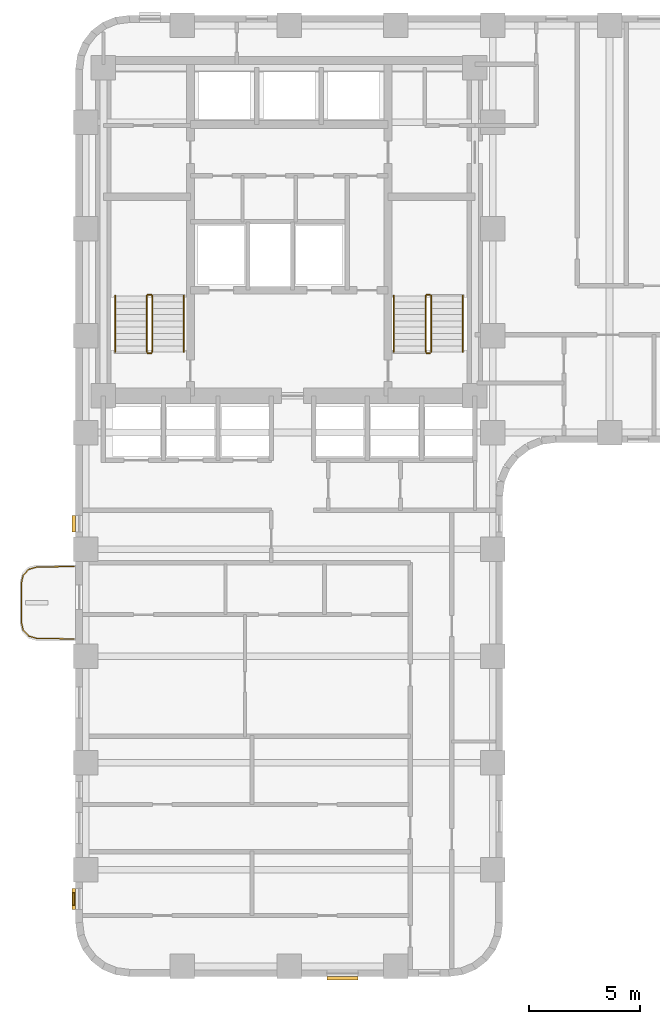
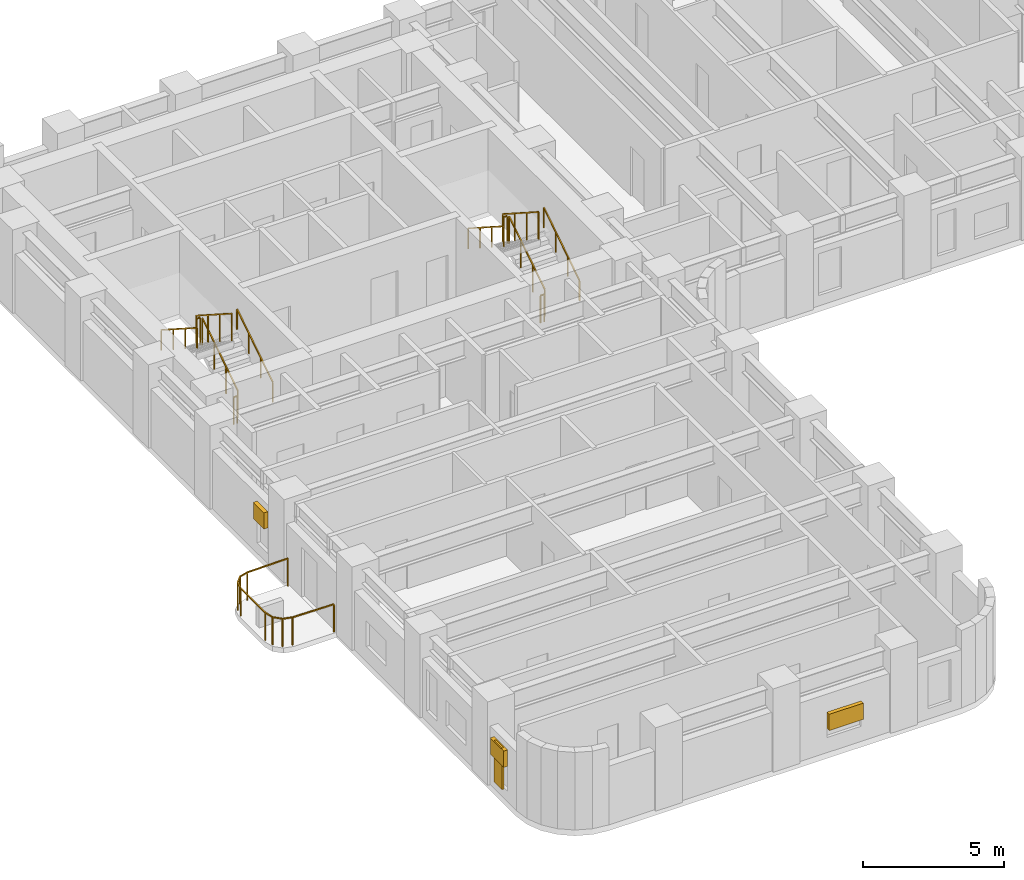
# One storey, part 9 of 11: 13 railings, 4 shading devices.
"""IFC4 building model written with IfcOpenShell, lengths in metres."""

from ifc_helpers import new_model, si_unit, direction, frame, origin, origin_2d, place, context, subcontext, project, spatial, rectangle, extrude, material, type_object, element, save


model = new_model("IFC4")

# Units and contexts
model_context = context("Model", 3, precision=1e-05, world=origin(), true_north=direction((0.0, 1.0)))
body_context = subcontext(model_context, "Body", "Model", "MODEL_VIEW")
ifc_project = project(units=[si_unit("LENGTHUNIT", "METRE"), si_unit("AREAUNIT", "SQUARE_METRE"), si_unit("VOLUMEUNIT", "CUBIC_METRE"), si_unit("PLANEANGLEUNIT", "RADIAN"), si_unit("MASSUNIT", "GRAM", prefix="KILO")], contexts=[model_context])

# Site, building, storey
site_placement = place(None, origin())
site = spatial("IfcSite", under=ifc_project, at=site_placement, CompositionType="ELEMENT")
building_placement = place(site_placement, origin())
building = spatial("IfcBuilding", under=site, at=building_placement, Name="Orvandelia Arch Residences", CompositionType="ELEMENT")
storey_placement = place(building_placement, frame((0.0, 0.0, 79.0)))
storey = spatial("IfcBuildingStorey", under=building, at=storey_placement, Name="L20", CompositionType="ELEMENT", Elevation=79.0)

# Railings
ifc_material_1 = material(Name="Marine-Grade Stainless Steel 316", Category="steel")
railing_type_1 = type_object("IfcRailingType", Name="GRD-BAL-1200", PredefinedType="BALUSTRADE", material=ifc_material_1)
railing_1_placement = place(storey_placement, frame((4.728271484375, 23.23046875, 0.0)))
element("IfcRailing", 1, at=railing_1_placement, inside=storey, type_object=railing_type_1, Name="Safety Balustrade Guard GRD-L20-BAL-L20-W1-1", PredefinedType="BALUSTRADE", context=body_context, shape_type="SweptSolid", body=[
    extrude(rectangle(XDim=0.048095703125, YDim=0.048095703125, at=origin_2d()), frame((0.0, 0.0, 1.19580078125), z_axis=(-0.999834751713, -0.018178813668, 0.0), x_axis=(0.018178813668, -0.999834751713, 0.0)), (0.0, 0.0, 1.0), 1.6787109375),
    extrude(rectangle(XDim=0.048095703125, YDim=0.048095703125, at=origin_2d()), frame((-1.678466796875, -0.030517578125, 1.19580078125), z_axis=(-0.96348920644, -0.267747173792, 0.0), x_axis=(0.267747173792, -0.96348920644, 0.0)), (0.0, 0.0, 1.0), 0.36572265625),
    extrude(rectangle(XDim=0.048095703125, YDim=0.048095703125, at=origin_2d()), frame((-2.03076171875, -0.12841796875, 1.19580078125), z_axis=(-0.688627404251, -0.725115368831, 0.0), x_axis=(0.725115368831, -0.688627404251, 0.0)), (0.0, 0.0, 1.0), 0.367919921875),
    extrude(rectangle(XDim=0.048095703125, YDim=0.048095703125, at=origin_2d()), frame((-2.2841796875, -0.395263671875, 1.19580078125), z_axis=(-0.220461657419, -0.975395641577, 0.0), x_axis=(0.975395641577, -0.220461657419, 0.0)), (0.0, 0.0, 1.0), 0.373291015625),
    extrude(rectangle(XDim=0.048095703125, YDim=0.048095703125, at=origin_2d()), frame((-2.366455078125, -0.75927734375, 1.19580078125), z_axis=(0.0, -1.0, 0.0), x_axis=(1.0, 0.0, 0.0)), (0.0, 0.0, 1.0), 1.742431640625),
    extrude(rectangle(XDim=0.048095703125, YDim=0.048095703125, at=origin_2d()), frame((-2.366455078125, -2.501708984375, 1.19580078125), z_axis=(0.220602419982, -0.975363815352, 0.0), x_axis=(0.975363815352, 0.220602419982, 0.0)), (0.0, 0.0, 1.0), 0.373046875),
    extrude(rectangle(XDim=0.048095703125, YDim=0.048095703125, at=origin_2d()), frame((-2.2841796875, -2.865478515625, 1.19580078125), z_axis=(0.688296224633, -0.725429739642, 0.0), x_axis=(0.725429739642, 0.688296224633, 0.0)), (0.0, 0.0, 1.0), 0.3681640625),
    extrude(rectangle(XDim=0.048095703125, YDim=0.048095703125, at=origin_2d()), frame((-2.03076171875, -3.132568359375, 1.19580078125), z_axis=(0.96348920644, -0.267747173792, 0.0), x_axis=(0.267747173792, 0.96348920644, 0.0)), (0.0, 0.0, 1.0), 0.36572265625),
    extrude(rectangle(XDim=0.048095703125, YDim=0.048095703125, at=origin_2d()), frame((-1.678466796875, -3.23046875, 1.19580078125), z_axis=(0.999834751713, -0.018178813668, 0.0), x_axis=(0.018178813668, 0.999834751713, 0.0)), (0.0, 0.0, 1.0), 1.6787109375),
    extrude(rectangle(XDim=0.0419921875, YDim=0.0419921875, at=origin_2d()), origin(), (0.0, 0.0, 1.0), 1.171875),
    extrude(rectangle(XDim=0.0419921875, YDim=0.0419921875, at=origin_2d()), frame((-1.678466796875, -0.030517578125, 0.0)), (0.0, 0.0, 1.0), 1.171875),
    extrude(rectangle(XDim=0.0419921875, YDim=0.0419921875, at=origin_2d()), frame((-2.03076171875, -0.12841796875, 0.0)), (0.0, 0.0, 1.0), 1.171875),
    extrude(rectangle(XDim=0.0419921875, YDim=0.0419921875, at=origin_2d()), frame((-2.2841796875, -0.395263671875, 0.0)), (0.0, 0.0, 1.0), 1.171875),
    extrude(rectangle(XDim=0.0419921875, YDim=0.0419921875, at=origin_2d()), frame((-2.366455078125, -0.75927734375, 0.0)), (0.0, 0.0, 1.0), 1.171875),
    extrude(rectangle(XDim=0.0419921875, YDim=0.0419921875, at=origin_2d()), frame((-2.366455078125, -2.501708984375, 0.0)), (0.0, 0.0, 1.0), 1.171875),
    extrude(rectangle(XDim=0.0419921875, YDim=0.0419921875, at=origin_2d()), frame((-2.2841796875, -2.865478515625, 0.0)), (0.0, 0.0, 1.0), 1.171875),
    extrude(rectangle(XDim=0.0419921875, YDim=0.0419921875, at=origin_2d()), frame((-2.03076171875, -3.132568359375, 0.0)), (0.0, 0.0, 1.0), 1.171875),
    extrude(rectangle(XDim=0.0419921875, YDim=0.0419921875, at=origin_2d()), frame((-1.678466796875, -3.23046875, 0.0)), (0.0, 0.0, 1.0), 1.171875),
    extrude(rectangle(XDim=0.0419921875, YDim=0.0419921875, at=origin_2d()), frame((0.0, -3.260986328125, 0.0)), (0.0, 0.0, 1.0), 1.171875),
])
ifc_material_2 = material(Name="Brushed Stainless Steel 304", Category="steel")
railing_type_2 = type_object("IfcRailingType", Name="RL-STAIR-GD1120", PredefinedType="GUARDRAIL", material=ifc_material_2)
railing_2_placement = place(storey_placement, frame((8.25, 32.8701171875, 0.179931640625)))
element("IfcRailing", 2, at=railing_2_placement, inside=storey, type_object=railing_type_2, Name="L20 ST-1 stair guard 1", PredefinedType="GUARDRAIL", context=body_context, shape_type="SweptSolid", body=[
    extrude(rectangle(XDim=0.048095703125, YDim=0.048095703125, at=origin_2d()), frame((0.0, 0.0, 1.17578125), z_axis=(0.0, 0.841138753965, 0.540819375188), x_axis=(-1.0, 0.0, 0.0)), (0.0, 0.0, 1.0), 2.99560546875),
    extrude(rectangle(XDim=0.0419921875, YDim=0.0419921875, at=origin_2d()), origin(), (0.0, 0.0, 1.0), 1.15185546875),
    extrude(rectangle(XDim=0.0419921875, YDim=0.0419921875, at=origin_2d()), frame((0.0, 0.83984375, 0.5400390625)), (0.0, 0.0, 1.0), 1.15185546875),
    extrude(rectangle(XDim=0.0419921875, YDim=0.0419921875, at=origin_2d()), frame((0.0, 1.679931640625, 1.080078125)), (0.0, 0.0, 1.0), 1.15185546875),
    extrude(rectangle(XDim=0.0419921875, YDim=0.0419921875, at=origin_2d()), frame((0.0, 2.519775390625, 1.6201171875)), (0.0, 0.0, 1.0), 1.15185546875),
])
railing_3_placement = place(storey_placement, frame((8.199951171875, 35.43994140625, 1.800048828125)))
element("IfcRailing", 3, at=railing_3_placement, inside=storey, type_object=railing_type_2, Name="L20 ST-1 stair guard 2", PredefinedType="GUARDRAIL", context=body_context, shape_type="SweptSolid", body=[
    extrude(rectangle(XDim=0.048095703125, YDim=0.048095703125, at=origin_2d()), frame((0.0, 0.0, 1.17578125), z_axis=(-1.0, 0.0, 0.0), x_axis=(0.0, -1.0, 0.0)), (0.0, 0.0, 1.0), 0.14990234375),
    extrude(rectangle(XDim=0.0419921875, YDim=0.0419921875, at=origin_2d()), origin(), (0.0, 0.0, 1.0), 1.15185546875),
    extrude(rectangle(XDim=0.0419921875, YDim=0.0419921875, at=origin_2d()), frame((-0.14990234375, 0.0, 0.0)), (0.0, 0.0, 1.0), 1.15185546875),
])
railing_4_placement = place(storey_placement, frame((8.0, 35.389892578125, 1.97998046875)))
element("IfcRailing", 4, at=railing_4_placement, inside=storey, type_object=railing_type_2, Name="L20 ST-1 stair guard 3", PredefinedType="GUARDRAIL", context=body_context, shape_type="SweptSolid", body=[
    extrude(rectangle(XDim=0.048095703125, YDim=0.048095703125, at=origin_2d()), frame((0.0, 0.0, 1.17578125), z_axis=(0.0, -0.841138753965, 0.540819375188), x_axis=(1.0, 0.0, 0.0)), (0.0, 0.0, 1.0), 2.99560546875),
    extrude(rectangle(XDim=0.0419921875, YDim=0.0419921875, at=origin_2d()), origin(), (0.0, 0.0, 1.0), 1.15185546875),
    extrude(rectangle(XDim=0.0419921875, YDim=0.0419921875, at=origin_2d()), frame((0.0, -0.83984375, 0.5400390625)), (0.0, 0.0, 1.0), 1.15185546875),
    extrude(rectangle(XDim=0.0419921875, YDim=0.0419921875, at=origin_2d()), frame((0.0, -1.679931640625, 1.080078125)), (0.0, 0.0, 1.0), 1.15185546875),
    extrude(rectangle(XDim=0.0419921875, YDim=0.0419921875, at=origin_2d()), frame((0.0, -2.519775390625, 1.6201171875)), (0.0, 0.0, 1.0), 1.15185546875),
])
railing_5_placement = place(storey_placement, frame((8.199951171875, 32.820068359375, 0.0)))
element("IfcRailing", 5, at=railing_5_placement, inside=storey, type_object=railing_type_2, Name="L20 ST-1 stair guard 4", PredefinedType="GUARDRAIL", context=body_context, shape_type="SweptSolid", body=[
    extrude(rectangle(XDim=0.048095703125, YDim=0.048095703125, at=origin_2d()), frame((0.0, 0.0, 1.17578125), z_axis=(-1.0, 0.0, 0.0), x_axis=(0.0, -1.0, 0.0)), (0.0, 0.0, 1.0), 0.14990234375),
    extrude(rectangle(XDim=0.0419921875, YDim=0.0419921875, at=origin_2d()), origin(), (0.0, 0.0, 1.0), 1.15185546875),
    extrude(rectangle(XDim=0.0419921875, YDim=0.0419921875, at=origin_2d()), frame((-0.14990234375, 0.0, 0.0)), (0.0, 0.0, 1.0), 1.15185546875),
])
railing_6_placement = place(storey_placement, frame((20.780029296875, 32.8701171875, 0.179931640625)))
element("IfcRailing", 6, at=railing_6_placement, inside=storey, type_object=railing_type_2, Name="L20 ST-2 stair guard 1", PredefinedType="GUARDRAIL", context=body_context, shape_type="SweptSolid", body=[
    extrude(rectangle(XDim=0.048095703125, YDim=0.048095703125, at=origin_2d()), frame((0.0, 0.0, 1.17578125), z_axis=(0.0, 0.841138753965, 0.540819375188), x_axis=(-1.0, 0.0, 0.0)), (0.0, 0.0, 1.0), 2.99560546875),
    extrude(rectangle(XDim=0.0419921875, YDim=0.0419921875, at=origin_2d()), origin(), (0.0, 0.0, 1.0), 1.15185546875),
    extrude(rectangle(XDim=0.0419921875, YDim=0.0419921875, at=origin_2d()), frame((0.0, 0.83984375, 0.5400390625)), (0.0, 0.0, 1.0), 1.15185546875),
    extrude(rectangle(XDim=0.0419921875, YDim=0.0419921875, at=origin_2d()), frame((0.0, 1.679931640625, 1.080078125)), (0.0, 0.0, 1.0), 1.15185546875),
    extrude(rectangle(XDim=0.0419921875, YDim=0.0419921875, at=origin_2d()), frame((0.0, 2.519775390625, 1.6201171875)), (0.0, 0.0, 1.0), 1.15185546875),
])
railing_7_placement = place(storey_placement, frame((20.72998046875, 35.43994140625, 1.800048828125)))
element("IfcRailing", 7, at=railing_7_placement, inside=storey, type_object=railing_type_2, Name="L20 ST-2 stair guard 2", PredefinedType="GUARDRAIL", context=body_context, shape_type="SweptSolid", body=[
    extrude(rectangle(XDim=0.048095703125, YDim=0.048095703125, at=origin_2d()), frame((0.0, 0.0, 1.17578125), z_axis=(-1.0, 0.0, 0.0), x_axis=(0.0, -1.0, 0.0)), (0.0, 0.0, 1.0), 0.14990234375),
    extrude(rectangle(XDim=0.0419921875, YDim=0.0419921875, at=origin_2d()), origin(), (0.0, 0.0, 1.0), 1.15185546875),
    extrude(rectangle(XDim=0.0419921875, YDim=0.0419921875, at=origin_2d()), frame((-0.14990234375, 0.0, 0.0)), (0.0, 0.0, 1.0), 1.15185546875),
])
railing_8_placement = place(storey_placement, frame((20.530029296875, 35.389892578125, 1.97998046875)))
element("IfcRailing", 8, at=railing_8_placement, inside=storey, type_object=railing_type_2, Name="L20 ST-2 stair guard 3", PredefinedType="GUARDRAIL", context=body_context, shape_type="SweptSolid", body=[
    extrude(rectangle(XDim=0.048095703125, YDim=0.048095703125, at=origin_2d()), frame((0.0, 0.0, 1.17578125), z_axis=(0.0, -0.841138753965, 0.540819375188), x_axis=(1.0, 0.0, 0.0)), (0.0, 0.0, 1.0), 2.99560546875),
    extrude(rectangle(XDim=0.0419921875, YDim=0.0419921875, at=origin_2d()), origin(), (0.0, 0.0, 1.0), 1.15185546875),
    extrude(rectangle(XDim=0.0419921875, YDim=0.0419921875, at=origin_2d()), frame((0.0, -0.83984375, 0.5400390625)), (0.0, 0.0, 1.0), 1.15185546875),
    extrude(rectangle(XDim=0.0419921875, YDim=0.0419921875, at=origin_2d()), frame((0.0, -1.679931640625, 1.080078125)), (0.0, 0.0, 1.0), 1.15185546875),
    extrude(rectangle(XDim=0.0419921875, YDim=0.0419921875, at=origin_2d()), frame((0.0, -2.519775390625, 1.6201171875)), (0.0, 0.0, 1.0), 1.15185546875),
])
railing_9_placement = place(storey_placement, frame((20.72998046875, 32.820068359375, 0.0)))
element("IfcRailing", 9, at=railing_9_placement, inside=storey, type_object=railing_type_2, Name="L20 ST-2 stair guard 4", PredefinedType="GUARDRAIL", context=body_context, shape_type="SweptSolid", body=[
    extrude(rectangle(XDim=0.048095703125, YDim=0.048095703125, at=origin_2d()), frame((0.0, 0.0, 1.17578125), z_axis=(-1.0, 0.0, 0.0), x_axis=(0.0, -1.0, 0.0)), (0.0, 0.0, 1.0), 0.14990234375),
    extrude(rectangle(XDim=0.0419921875, YDim=0.0419921875, at=origin_2d()), origin(), (0.0, 0.0, 1.0), 1.15185546875),
    extrude(rectangle(XDim=0.0419921875, YDim=0.0419921875, at=origin_2d()), frame((-0.14990234375, 0.0, 0.0)), (0.0, 0.0, 1.0), 1.15185546875),
])
railing_type_3 = type_object("IfcRailingType", Name="RL-STAIR-HR920", PredefinedType="HANDRAIL", material=ifc_material_2)
railing_10_placement = place(storey_placement, frame((9.669921875, 32.8701171875, 0.360107421875)))
element("IfcRailing", 10, at=railing_10_placement, inside=storey, type_object=railing_type_3, Name="L20 ST-1 stair handrail 1", PredefinedType="HANDRAIL", context=body_context, shape_type="SweptSolid", body=[
    extrude(rectangle(XDim=0.048095703125, YDim=0.048095703125, at=origin_2d()), frame((0.0, 0.0, 0.8759765625), z_axis=(0.0, 0.841175827307, 0.540761710511), x_axis=(-1.0, 0.0, 0.0)), (0.0, 0.0, 1.0), 2.99560546875),
    extrude(rectangle(XDim=0.0419921875, YDim=0.0419921875, at=origin_2d()), origin(), (0.0, 0.0, 1.0), 0.851806640625),
    extrude(rectangle(XDim=0.0419921875, YDim=0.0419921875, at=origin_2d()), frame((0.0, 0.83984375, 0.5400390625)), (0.0, 0.0, 1.0), 0.851806640625),
    extrude(rectangle(XDim=0.0419921875, YDim=0.0419921875, at=origin_2d()), frame((0.0, 1.679931640625, 1.079833984375)), (0.0, 0.0, 1.0), 0.851806640625),
    extrude(rectangle(XDim=0.0419921875, YDim=0.0419921875, at=origin_2d()), frame((0.0, 2.519775390625, 1.619873046875)), (0.0, 0.0, 1.0), 0.851806640625),
])
railing_11_placement = place(storey_placement, frame((6.580078125, 35.389892578125, 2.159912109375)))
element("IfcRailing", 11, at=railing_11_placement, inside=storey, type_object=railing_type_3, Name="L20 ST-1 stair handrail 2", PredefinedType="HANDRAIL", context=body_context, shape_type="SweptSolid", body=[
    extrude(rectangle(XDim=0.048095703125, YDim=0.048095703125, at=origin_2d()), frame((0.0, 0.0, 0.8759765625), z_axis=(0.0, -0.841138753965, 0.540819375188), x_axis=(1.0, 0.0, 0.0)), (0.0, 0.0, 1.0), 2.99560546875),
    extrude(rectangle(XDim=0.0419921875, YDim=0.0419921875, at=origin_2d()), origin(), (0.0, 0.0, 1.0), 0.851806640625),
    extrude(rectangle(XDim=0.0419921875, YDim=0.0419921875, at=origin_2d()), frame((0.0, -0.83984375, 0.5400390625)), (0.0, 0.0, 1.0), 0.851806640625),
    extrude(rectangle(XDim=0.0419921875, YDim=0.0419921875, at=origin_2d()), frame((0.0, -1.679931640625, 1.080078125)), (0.0, 0.0, 1.0), 0.851806640625),
    extrude(rectangle(XDim=0.0419921875, YDim=0.0419921875, at=origin_2d()), frame((0.0, -2.519775390625, 1.6201171875)), (0.0, 0.0, 1.0), 0.851806640625),
])
railing_12_placement = place(storey_placement, frame((22.199951171875, 32.8701171875, 0.360107421875)))
element("IfcRailing", 12, at=railing_12_placement, inside=storey, type_object=railing_type_3, Name="L20 ST-2 stair handrail 1", PredefinedType="HANDRAIL", context=body_context, shape_type="SweptSolid", body=[
    extrude(rectangle(XDim=0.048095703125, YDim=0.048095703125, at=origin_2d()), frame((0.0, 0.0, 0.8759765625), z_axis=(0.0, 0.841175827307, 0.540761710511), x_axis=(-1.0, 0.0, 0.0)), (0.0, 0.0, 1.0), 2.99560546875),
    extrude(rectangle(XDim=0.0419921875, YDim=0.0419921875, at=origin_2d()), origin(), (0.0, 0.0, 1.0), 0.851806640625),
    extrude(rectangle(XDim=0.0419921875, YDim=0.0419921875, at=origin_2d()), frame((0.0, 0.83984375, 0.5400390625)), (0.0, 0.0, 1.0), 0.851806640625),
    extrude(rectangle(XDim=0.0419921875, YDim=0.0419921875, at=origin_2d()), frame((0.0, 1.679931640625, 1.079833984375)), (0.0, 0.0, 1.0), 0.851806640625),
    extrude(rectangle(XDim=0.0419921875, YDim=0.0419921875, at=origin_2d()), frame((0.0, 2.519775390625, 1.619873046875)), (0.0, 0.0, 1.0), 0.851806640625),
])
railing_13_placement = place(storey_placement, frame((19.110107421875, 35.389892578125, 2.159912109375)))
element("IfcRailing", 13, at=railing_13_placement, inside=storey, type_object=railing_type_3, Name="L20 ST-2 stair handrail 2", PredefinedType="HANDRAIL", context=body_context, shape_type="SweptSolid", body=[
    extrude(rectangle(XDim=0.048095703125, YDim=0.048095703125, at=origin_2d()), frame((0.0, 0.0, 0.8759765625), z_axis=(0.0, -0.841138753965, 0.540819375188), x_axis=(1.0, 0.0, 0.0)), (0.0, 0.0, 1.0), 2.99560546875),
    extrude(rectangle(XDim=0.0419921875, YDim=0.0419921875, at=origin_2d()), origin(), (0.0, 0.0, 1.0), 0.851806640625),
    extrude(rectangle(XDim=0.0419921875, YDim=0.0419921875, at=origin_2d()), frame((0.0, -0.83984375, 0.5400390625)), (0.0, 0.0, 1.0), 0.851806640625),
    extrude(rectangle(XDim=0.0419921875, YDim=0.0419921875, at=origin_2d()), frame((0.0, -1.679931640625, 1.080078125)), (0.0, 0.0, 1.0), 0.851806640625),
    extrude(rectangle(XDim=0.0419921875, YDim=0.0419921875, at=origin_2d()), frame((0.0, -2.519775390625, 1.6201171875)), (0.0, 0.0, 1.0), 0.851806640625),
])

# Shading devices
ifc_material_3 = material(Name="Anodised Champagne-Bronze Extruded Aluminium", Category="aluminium")
shading_device_type_1 = type_object("IfcShadingDeviceType", Name="SHD-JALOUSIE-SCREEN", PredefinedType="JALOUSIE", material=ifc_material_3)
shading_device_1_placement = place(storey_placement, frame((16.800048828125, 4.719970703125, 1.0498046875), z_axis=(0.0, 0.0, 1.0), x_axis=(-1.0, 0.0, 0.0)))
element("IfcShadingDevice", 14, at=shading_device_1_placement, inside=storey, type_object=shading_device_type_1, Name="Bronze Jalousie Sun-Shade L20-008", PredefinedType="JALOUSIE", context=body_context, shape_type="SweptSolid", body=[
    extrude(rectangle(XDim=1.39990234375, YDim=0.159912109375, at=origin_2d()), origin(), (0.0, 0.0, 1.0), 0.699951171875),
])
shading_device_2_placement = place(storey_placement, frame((4.719970703125, 8.285888671875, 1.5498046875), z_axis=(0.0, 0.0, 1.0), x_axis=(0.0, 1.0, 0.0)))
element("IfcShadingDevice", 15, at=shading_device_2_placement, inside=storey, type_object=shading_device_type_1, Name="Bronze Jalousie Sun-Shade L20-009", PredefinedType="JALOUSIE", context=body_context, shape_type="SweptSolid", body=[
    extrude(rectangle(XDim=0.949951171875, YDim=0.159912109375, at=origin_2d()), origin(), (0.0, 0.0, 1.0), 0.699951171875),
])
shading_device_3_placement = place(storey_placement, frame((4.719970703125, 25.155029296875, 1.5498046875), z_axis=(0.0, 0.0, 1.0), x_axis=(0.0, 1.0, 0.0)))
element("IfcShadingDevice", 16, at=shading_device_3_placement, inside=storey, type_object=shading_device_type_1, Name="Bronze Jalousie Sun-Shade L20-010", PredefinedType="JALOUSIE", context=body_context, shape_type="SweptSolid", body=[
    extrude(rectangle(XDim=0.75, YDim=0.159912109375, at=origin_2d()), origin(), (0.0, 0.0, 1.0), 0.699951171875),
])
ifc_material_4 = material(Name="Marine-Grade Perforated Aluminium Storm Shutter", Category="aluminium")
shading_device_type_2 = type_object("IfcShadingDeviceType", Name="SHD-STORM-SHUTTER", PredefinedType="SHUTTER", material=ifc_material_4)
shading_device_4_placement = place(storey_placement, frame((4.719970703125, 8.285888671875, 0.4501953125), z_axis=(0.0, 0.0, 1.0), x_axis=(0.0, 1.0, 0.0)))
element("IfcShadingDevice", 17, at=shading_device_4_placement, inside=storey, type_object=shading_device_type_2, Name="Operable Typhoon Storm Shutter L20-009", PredefinedType="SHUTTER", context=body_context, shape_type="SweptSolid", body=[
    extrude(rectangle(XDim=0.550048828125, YDim=0.080078125, at=origin_2d()), origin(), (0.0, 0.0, 1.0), 1.800048828125),
])

save(model, "model.ifc")
